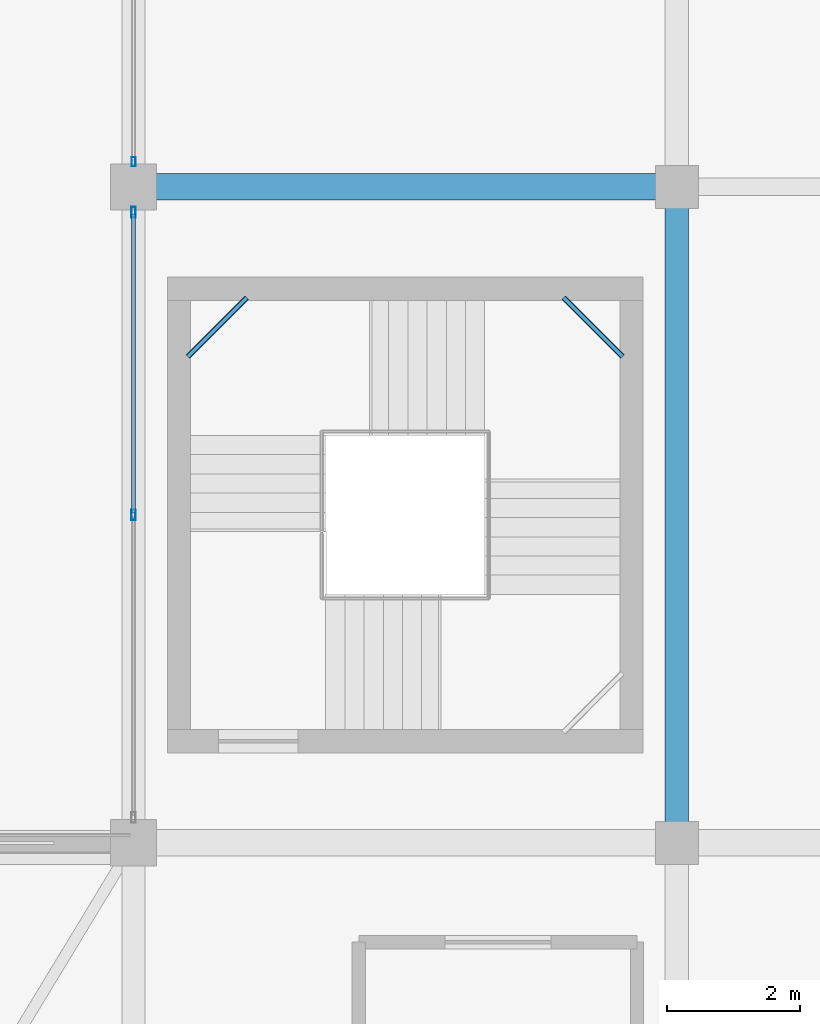
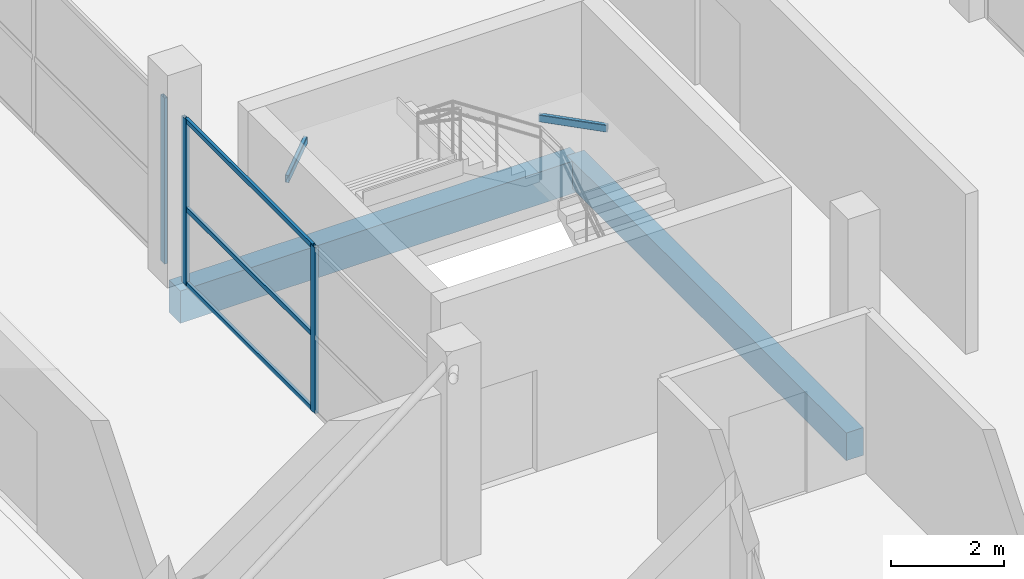
# One storey, part 32 of 69: 6 members, 4 beams, 2 elements without a shape of their own.
"""IFC4 building model written with IfcOpenShell, lengths in metres."""

from ifc_helpers import new_model, si_unit, direction, frame, origin, origin_2d, place, context, subcontext, project, spatial, rectangle, hollow_rectangle, extrude, material, layer, layer_set, material_profile, profile_set, type_object, element, aggregate, save


model = new_model("IFC4")

# Units and contexts
model_context = context("Model", 3, precision=1e-05, world=origin(), true_north=direction((0.0, 1.0)))
body_context = subcontext(model_context, "Body", "Model", "MODEL_VIEW")
ifc_project = project(units=[si_unit("LENGTHUNIT", "METRE"), si_unit("AREAUNIT", "SQUARE_METRE"), si_unit("VOLUMEUNIT", "CUBIC_METRE"), si_unit("PLANEANGLEUNIT", "RADIAN"), si_unit("MASSUNIT", "GRAM", prefix="KILO")], contexts=[model_context])

# Site, building, storey
site_placement = place(None, origin())
site = spatial("IfcSite", under=ifc_project, at=site_placement, CompositionType="ELEMENT")
building_placement = place(site_placement, origin())
building = spatial("IfcBuilding", under=site, at=building_placement, Name="Sillaruma Civic Art Gallery", CompositionType="ELEMENT")
storey_placement = place(building_placement, frame((0.0, 0.0, 42.330078125)))
storey = spatial("IfcBuildingStorey", under=building, at=storey_placement, Name="L08", CompositionType="ELEMENT", Elevation=42.330078125)

# Beams
ifc_material_1 = material(Name="Concrete H35 (35 MPa)", Category="concrete")
ifc_material_profile_1 = material_profile(ifc_material_1, rectangle(XDim=0.35009765625, YDim=0.60009765625, at=origin_2d()), Name="RCB350x600")
ifc_profile_set_1 = profile_set([ifc_material_profile_1], Name="Concrete H35 (35 MPa)")
beam_type_1 = type_object("IfcBeamType", Name="BM-BEAM-RCB350x600", PredefinedType="BEAM", material=ifc_profile_set_1)
beam_1_placement = place(storey_placement, frame((106.199951171875, 49.5, -0.580078125), z_axis=(0.0, 1.0, 0.0), x_axis=(-1.0, 0.0, 0.0)))
element("IfcBeam", 1, at=beam_1_placement, inside=storey, type_object=beam_type_1, Name="Beam BM-06 (L07:M:6-7)", PredefinedType="BEAM", context=body_context, shape_type="SweptSolid", body=[
    extrude(rectangle(XDim=0.35009765625, YDim=0.60009765625, at=origin_2d()), origin(), (0.0, 0.0, 1.0), 9.89990234375),
])
ifc_material_profile_2 = material_profile(ifc_material_1, rectangle(XDim=0.39990234375, YDim=0.699951171875, at=origin_2d()), Name="RCB400x700")
ifc_profile_set_2 = profile_set([ifc_material_profile_2], Name="Concrete H35 (35 MPa)")
beam_type_2 = type_object("IfcBeamType", Name="BM-BEAM-RCB400x700", PredefinedType="BEAM", material=ifc_profile_set_2)
beam_2_placement = place(storey_placement, frame((98.0, 59.39990234375, -0.630126953125), z_axis=(1.0, 0.0, 0.0), x_axis=(0.0, 1.0, 0.0)))
element("IfcBeam", 2, at=beam_2_placement, inside=storey, type_object=beam_type_2, Name="Beam BM-04 (L07:7:L-M)", PredefinedType="BEAM", context=body_context, shape_type="SweptSolid", body=[
    extrude(rectangle(XDim=0.39990234375, YDim=0.699951171875, at=origin_2d()), origin(), (0.0, 0.0, 1.0), 8.199951171875),
])
ifc_material_2 = material(Name="Structural Steel ASTM A500 Gr.C", Category="steel")
ifc_material_profile_3 = material_profile(ifc_material_2, hollow_rectangle(XDim=0.080078125, YDim=0.159912109375, WallThickness=0.008056640625, InnerFilletRadius=0.008056640625, OuterFilletRadius=0.01611328125, at=origin_2d()), Name="HSS160x80x8")
ifc_profile_set_3 = profile_set([ifc_material_profile_3], Name="Structural Steel ASTM A500 Gr.C")
beam_type_3 = type_object("IfcBeamType", Name="BM-LND-HSS160", PredefinedType="BEAM", material=ifc_profile_set_3)
for number, where, z_axis, x_axis, name in (
    (3, (104.489990234375, 57.72998046875, 2.099853515625), (0.707106781187, -0.707106781187, 0.0), (0.707106781187, 0.707106781187, 0.0), "Stair Corner Landing Trimmer Beam (ST-04-L08-2)"),
    (4, (98.820068359375, 56.840087890625, 3.2900390625), (0.707106781187, 0.707106781187, 0.0), (-0.707106781187, 0.707106781187, 0.0), "Stair Corner Landing Trimmer Beam (ST-04-L08-3)"),
):
    element("IfcBeam", number, at=place(storey_placement, frame(where, z_axis=z_axis, x_axis=x_axis)), inside=storey, type_object=beam_type_3, Name=name, PredefinedType="BEAM", context=body_context, shape_type="SweptSolid", body=[
        extrude(hollow_rectangle(XDim=0.080078125, YDim=0.159912109375, WallThickness=0.008056640625, InnerFilletRadius=0.008056640625, OuterFilletRadius=0.01611328125, at=origin_2d()), origin(), (0.0, 0.0, 1.0), 1.258544921875),
    ])

# Curtain wall, member
ifc_material_3 = material(Name="Thermally Broken Extruded Aluminium 6063-T6", Category="aluminium")
ifc_layer_1 = layer(ifc_material_3, 0.139892578125, Name="Thermally Broken Extruded Aluminium 6063-T6")
ifc_layer_set_1 = layer_set([ifc_layer_1], Name="Thermally Broken Extruded Aluminium 6063-T6")
curtain_wall_type_1 = type_object("IfcCurtainWallType", Name="CW-UNI-40", PredefinedType="NOTDEFINED", material=ifc_layer_set_1)
curtain_wall_1_placement = place(storey_placement, origin())
curtain_wall_1 = element("IfcCurtainWall", 5, at=curtain_wall_1_placement, inside=storey, type_object=curtain_wall_type_1, Name="Unitised Curtain Wall CW-40 (CW-L08-EBW-5)", PredefinedType="NOTDEFINED")
ifc_material_profile_4 = material_profile(ifc_material_3, hollow_rectangle(XDim=0.06005859375, YDim=0.139892578125, WallThickness=0.00341796875, at=origin_2d()), Name="CWM60x140")
ifc_profile_set_4 = profile_set([ifc_material_profile_4], Name="Thermally Broken Extruded Aluminium 6063-T6")
member_type_1 = type_object("IfcMemberType", Name="MEM-MUL-CWM60x140", PredefinedType="MULLION", material=ifc_profile_set_4)
member_1_placement = place(storey_placement, frame((98.0, 59.780029296875, 0.0), z_axis=(0.0, 0.0, 1.0), x_axis=(-1.0, 0.0, 0.0)))
member_1 = element("IfcMember", 6, at=member_1_placement, type_object=member_type_1, Name="CW-40 mullion 1", PredefinedType="MULLION", context=body_context, shape_type="SweptSolid", body=[
    extrude(hollow_rectangle(XDim=0.06005859375, YDim=0.139892578125, WallThickness=0.00341796875, at=origin_2d()), origin(), (0.0, 0.0, 1.0), 3.58984375),
])
aggregate(curtain_wall_1, [member_1])

# Curtain wall, members
ifc_layer_2 = layer(ifc_material_3, 0.159912109375, Name="Thermally Broken Extruded Aluminium 6063-T6")
ifc_layer_set_2 = layer_set([ifc_layer_2], Name="Thermally Broken Extruded Aluminium 6063-T6")
curtain_wall_type_2 = type_object("IfcCurtainWallType", Name="CW-UNI-35", PredefinedType="NOTDEFINED", material=ifc_layer_set_2)
curtain_wall_2_placement = place(storey_placement, origin())
curtain_wall_2 = element("IfcCurtainWall", 7, at=curtain_wall_2_placement, inside=storey, type_object=curtain_wall_type_2, Name="Unitised Curtain Wall CW-35 (CW-L08-EBW-4)", PredefinedType="NOTDEFINED")
ifc_material_profile_5 = material_profile(ifc_material_3, hollow_rectangle(XDim=0.06494140625, YDim=0.159912109375, WallThickness=0.00390625, at=origin_2d()), Name="CWM65x160")
ifc_profile_set_5 = profile_set([ifc_material_profile_5], Name="Thermally Broken Extruded Aluminium 6063-T6")
member_type_2 = type_object("IfcMemberType", Name="MEM-MUL-CWM65x160", PredefinedType="MULLION", material=ifc_profile_set_5)
member_2_placement = place(storey_placement, frame((98.0, 54.449951171875, 0.0), z_axis=(0.0, 0.0, 1.0), x_axis=(-1.0, 0.0, 0.0)))
member_2 = element("IfcMember", 8, at=member_2_placement, type_object=member_type_2, Name="CW-35 mullion 2", PredefinedType="MULLION", context=body_context, shape_type="SweptSolid", body=[
    extrude(hollow_rectangle(XDim=0.06494140625, YDim=0.159912109375, WallThickness=0.00390625, at=origin_2d()), origin(), (0.0, 0.0, 1.0), 3.58984375),
])
member_3_placement = place(storey_placement, frame((98.0, 59.017578125, 0.0), z_axis=(0.0, 0.0, 1.0), x_axis=(-1.0, 0.0, 0.0)))
member_3 = element("IfcMember", 9, at=member_3_placement, type_object=member_type_2, Name="CW-35 mullion 3", PredefinedType="MULLION", context=body_context, shape_type="SweptSolid", body=[
    extrude(hollow_rectangle(XDim=0.06494140625, YDim=0.159912109375, WallThickness=0.00390625, at=origin_2d()), origin(), (0.0, 0.0, 1.0), 3.58984375),
])
ifc_material_profile_6 = material_profile(ifc_material_3, hollow_rectangle(XDim=0.06005859375, YDim=0.10009765625, WallThickness=0.003173828125, at=origin_2d()), Name="CWT60x100")
ifc_profile_set_6 = profile_set([ifc_material_profile_6], Name="Thermally Broken Extruded Aluminium 6063-T6")
member_type_3 = type_object("IfcMemberType", Name="MEM-TRN-CWT60x100", PredefinedType="USERDEFINED", material=ifc_profile_set_6)
member_4_placement = place(storey_placement, frame((98.0, 54.482421875, 0.030029296875), z_axis=(0.0, 1.0, 0.0), x_axis=(-1.0, 0.0, 0.0)))
member_4 = element("IfcMember", 10, at=member_4_placement, type_object=member_type_3, Name="CW-35 transom 2.1", ObjectType="TRANSOM", PredefinedType="USERDEFINED", context=body_context, shape_type="SweptSolid", body=[
    extrude(hollow_rectangle(XDim=0.06005859375, YDim=0.10009765625, WallThickness=0.003173828125, at=origin_2d()), origin(), (0.0, 0.0, 1.0), 4.502685546875),
])
member_5_placement = place(storey_placement, frame((98.0, 54.482421875, 1.6513671875), z_axis=(0.0, 1.0, 0.0), x_axis=(-1.0, 0.0, 0.0)))
member_5 = element("IfcMember", 11, at=member_5_placement, type_object=member_type_3, Name="CW-35 transom 2.2", ObjectType="TRANSOM", PredefinedType="USERDEFINED", context=body_context, shape_type="SweptSolid", body=[
    extrude(hollow_rectangle(XDim=0.06005859375, YDim=0.10009765625, WallThickness=0.003173828125, at=origin_2d()), origin(), (0.0, 0.0, 1.0), 4.502685546875),
])
member_6_placement = place(storey_placement, frame((98.0, 54.482421875, 3.559814453125), z_axis=(0.0, 1.0, 0.0), x_axis=(-1.0, 0.0, 0.0)))
member_6 = element("IfcMember", 12, at=member_6_placement, type_object=member_type_3, Name="CW-35 transom 2.3", ObjectType="TRANSOM", PredefinedType="USERDEFINED", context=body_context, shape_type="SweptSolid", body=[
    extrude(hollow_rectangle(XDim=0.06005859375, YDim=0.10009765625, WallThickness=0.003173828125, at=origin_2d()), origin(), (0.0, 0.0, 1.0), 4.502685546875),
])
aggregate(curtain_wall_2, [member_2, member_3, member_4, member_5, member_6])

save(model, "model.ifc")
